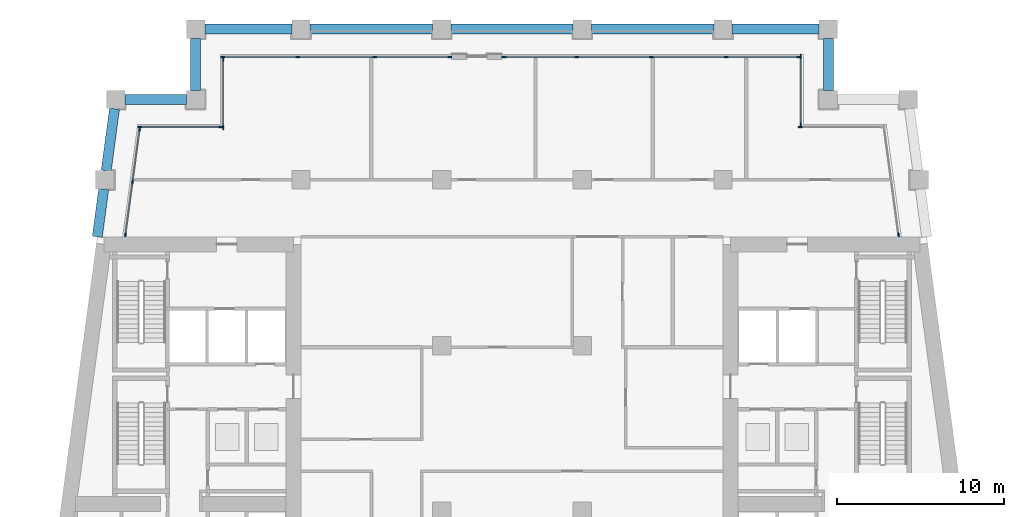
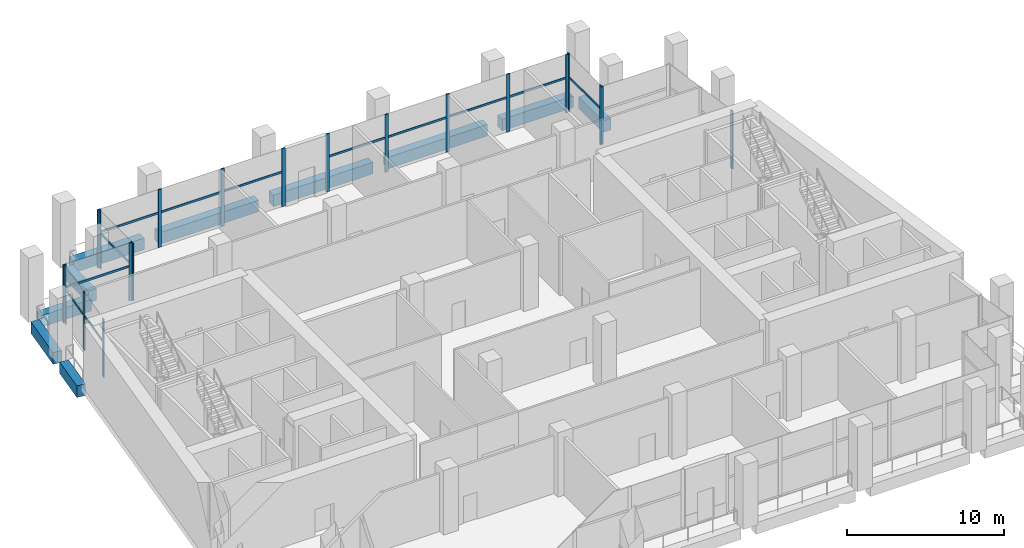
# One storey, part 4 of 16: 32 members, 10 beams, 8 elements without a shape of their own.
"""IFC4 building model written with IfcOpenShell, lengths in metres."""

from ifc_helpers import new_model, si_unit, direction, frame, origin, origin_2d, place, context, subcontext, project, spatial, rectangle, extrude, material, material_profile, profile_set, type_object, element, aggregate, save


model = new_model("IFC4")

# Units and contexts
model_context = context("Model", 3, precision=1e-05, world=origin(), true_north=direction((0.0, 1.0)))
body_context = subcontext(model_context, "Body", "Model", "MODEL_VIEW")
ifc_project = project(units=[si_unit("LENGTHUNIT", "METRE"), si_unit("AREAUNIT", "SQUARE_METRE"), si_unit("VOLUMEUNIT", "CUBIC_METRE"), si_unit("PLANEANGLEUNIT", "RADIAN"), si_unit("MASSUNIT", "GRAM", prefix="KILO")], contexts=[model_context])

# Site, building, storey
site_placement = place(None, origin())
site = spatial("IfcSite", under=ifc_project, at=site_placement, CompositionType="ELEMENT")
building_placement = place(site_placement, origin())
building = spatial("IfcBuilding", under=site, at=building_placement, Name="Candeia Pilgrim Tower and Theatre", CompositionType="ELEMENT")
storey_placement = place(building_placement, frame((0.0, 0.0, 192.199951171875)))
storey = spatial("IfcBuildingStorey", under=building, at=storey_placement, Name="L46", CompositionType="ELEMENT", Elevation=192.199951171875)

# Curtain wall, member
ifc_material_1 = material(Name="Aluminium framed sky lobby glazing", Category="aluminium")
curtain_wall_type = type_object("IfcCurtainWallType", Name="CW-S curtain wall", PredefinedType="NOTDEFINED", material=ifc_material_1)
curtain_wall_1_placement = place(storey_placement, origin())
curtain_wall_1 = element("IfcCurtainWall", 1, at=curtain_wall_1_placement, inside=storey, type_object=curtain_wall_type, Name="Curtain wall CW-S L46.310", PredefinedType="NOTDEFINED")
ifc_material_2 = material(Name="Anodised aluminium", Category="aluminium")
ifc_material_profile_1 = material_profile(ifc_material_2, rectangle(XDim=0.080078125, YDim=0.25, at=origin_2d()))
ifc_profile_set_1 = profile_set([ifc_material_profile_1], Name="Anodised aluminium")
member_type_1 = type_object("IfcMemberType", Name="CW-S mullion 80x250", PredefinedType="MULLION", material=ifc_profile_set_1)
member_1_placement = place(storey_placement, frame((136.48779296875, 132.52392578125, 0.0), z_axis=(0.0, 0.0, 1.0), x_axis=(-0.991060661622, -0.133412012145, 0.0)))
member_1 = element("IfcMember", 2, at=member_1_placement, type_object=member_type_1, Name="CW-S mullion 1", PredefinedType="MULLION", context=body_context, shape_type="SweptSolid", body=[
    extrude(rectangle(XDim=0.080078125, YDim=0.25, at=origin_2d()), origin(), (0.0, 0.0, 1.0), 4.5),
])
aggregate(curtain_wall_1, [member_1])

curtain_wall_2_placement = place(storey_placement, origin())
curtain_wall_2 = element("IfcCurtainWall", 3, at=curtain_wall_2_placement, inside=storey, type_object=curtain_wall_type, Name="Curtain wall CW-S L46.400", PredefinedType="NOTDEFINED")
member_2_placement = place(storey_placement, frame((130.625, 138.949951171875, 0.0), z_axis=(0.0, 0.0, 1.0), x_axis=(0.0, -1.0, 0.0)))
member_2 = element("IfcMember", 4, at=member_2_placement, type_object=member_type_1, Name="CW-S mullion 2", PredefinedType="MULLION", context=body_context, shape_type="SweptSolid", body=[
    extrude(rectangle(XDim=0.080078125, YDim=0.25, at=origin_2d()), origin(), (0.0, 0.0, 1.0), 4.5),
])
aggregate(curtain_wall_2, [member_2])

# Curtain wall, members
curtain_wall_3_placement = place(storey_placement, origin())
curtain_wall_3 = element("IfcCurtainWall", 5, at=curtain_wall_3_placement, inside=storey, type_object=curtain_wall_type, Name="Curtain wall CW-S L46.500", PredefinedType="NOTDEFINED")
member_3_placement = place(storey_placement, frame((130.64990234375, 139.074951171875, 0.0), z_axis=(0.0, 0.0, 1.0), x_axis=(-1.0, 0.0, 0.0)))
member_3 = element("IfcMember", 6, at=member_3_placement, type_object=member_type_1, Name="CW-S mullion 1", PredefinedType="MULLION", context=body_context, shape_type="SweptSolid", body=[
    extrude(rectangle(XDim=0.080078125, YDim=0.25, at=origin_2d()), origin(), (0.0, 0.0, 1.0), 4.5),
])
member_4_placement = place(storey_placement, frame((130.64990234375, 143.175048828125, 0.0), z_axis=(0.0, 0.0, 1.0), x_axis=(-1.0, 0.0, 0.0)))
member_4 = element("IfcMember", 7, at=member_4_placement, type_object=member_type_1, Name="CW-S mullion 2", PredefinedType="MULLION", context=body_context, shape_type="SweptSolid", body=[
    extrude(rectangle(XDim=0.080078125, YDim=0.25, at=origin_2d()), origin(), (0.0, 0.0, 1.0), 4.5),
])

curtain_wall_4_placement = place(storey_placement, origin())
curtain_wall_4 = element("IfcCurtainWall", 8, at=curtain_wall_4_placement, inside=storey, type_object=curtain_wall_type, Name="Curtain wall CW-S L46.600", PredefinedType="NOTDEFINED")
member_5_placement = place(storey_placement, frame((130.52490234375, 143.14990234375, 0.0), z_axis=(0.0, 0.0, 1.0), x_axis=(0.0, -1.0, 0.0)))
member_5 = element("IfcMember", 9, at=member_5_placement, type_object=member_type_1, Name="CW-S mullion 1", PredefinedType="MULLION", context=body_context, shape_type="SweptSolid", body=[
    extrude(rectangle(XDim=0.080078125, YDim=0.25, at=origin_2d()), origin(), (0.0, 0.0, 1.0), 4.5),
])
member_6_placement = place(storey_placement, frame((126.1875, 143.14990234375, 0.0), z_axis=(0.0, 0.0, 1.0), x_axis=(0.0, -1.0, 0.0)))
member_6 = element("IfcMember", 10, at=member_6_placement, type_object=member_type_1, Name="CW-S mullion 2", PredefinedType="MULLION", context=body_context, shape_type="SweptSolid", body=[
    extrude(rectangle(XDim=0.080078125, YDim=0.25, at=origin_2d()), origin(), (0.0, 0.0, 1.0), 4.5),
])
member_7_placement = place(storey_placement, frame((121.72509765625, 143.14990234375, 0.0), z_axis=(0.0, 0.0, 1.0), x_axis=(0.0, -1.0, 0.0)))
member_7 = element("IfcMember", 11, at=member_7_placement, type_object=member_type_1, Name="CW-S mullion 3", PredefinedType="MULLION", context=body_context, shape_type="SweptSolid", body=[
    extrude(rectangle(XDim=0.080078125, YDim=0.25, at=origin_2d()), origin(), (0.0, 0.0, 1.0), 4.5),
])
member_8_placement = place(storey_placement, frame((117.262451171875, 143.14990234375, 0.0), z_axis=(0.0, 0.0, 1.0), x_axis=(0.0, -1.0, 0.0)))
member_8 = element("IfcMember", 12, at=member_8_placement, type_object=member_type_1, Name="CW-S mullion 4", PredefinedType="MULLION", context=body_context, shape_type="SweptSolid", body=[
    extrude(rectangle(XDim=0.080078125, YDim=0.25, at=origin_2d()), origin(), (0.0, 0.0, 1.0), 4.5),
])
member_9_placement = place(storey_placement, frame((112.925048828125, 143.14990234375, 0.0), z_axis=(0.0, 0.0, 1.0), x_axis=(0.0, -1.0, 0.0)))
member_9 = element("IfcMember", 13, at=member_9_placement, type_object=member_type_1, Name="CW-S mullion 5", PredefinedType="MULLION", context=body_context, shape_type="SweptSolid", body=[
    extrude(rectangle(XDim=0.080078125, YDim=0.25, at=origin_2d()), origin(), (0.0, 0.0, 1.0), 4.5),
])

curtain_wall_5_placement = place(storey_placement, origin())
curtain_wall_5 = element("IfcCurtainWall", 14, at=curtain_wall_5_placement, inside=storey, type_object=curtain_wall_type, Name="Curtain wall CW-S L46.602", PredefinedType="NOTDEFINED")
member_10_placement = place(storey_placement, frame((109.675048828125, 143.14990234375, 0.0), z_axis=(0.0, 0.0, 1.0), x_axis=(0.0, -1.0, 0.0)))
member_10 = element("IfcMember", 15, at=member_10_placement, type_object=member_type_1, Name="CW-S mullion 1", PredefinedType="MULLION", context=body_context, shape_type="SweptSolid", body=[
    extrude(rectangle(XDim=0.080078125, YDim=0.25, at=origin_2d()), origin(), (0.0, 0.0, 1.0), 4.5),
])
member_11_placement = place(storey_placement, frame((105.199951171875, 143.14990234375, 0.0), z_axis=(0.0, 0.0, 1.0), x_axis=(0.0, -1.0, 0.0)))
member_11 = element("IfcMember", 16, at=member_11_placement, type_object=member_type_1, Name="CW-S mullion 2", PredefinedType="MULLION", context=body_context, shape_type="SweptSolid", body=[
    extrude(rectangle(XDim=0.080078125, YDim=0.25, at=origin_2d()), origin(), (0.0, 0.0, 1.0), 4.5),
])
member_12_placement = place(storey_placement, frame((100.60009765625, 143.14990234375, 0.0), z_axis=(0.0, 0.0, 1.0), x_axis=(0.0, -1.0, 0.0)))
member_12 = element("IfcMember", 17, at=member_12_placement, type_object=member_type_1, Name="CW-S mullion 3", PredefinedType="MULLION", context=body_context, shape_type="SweptSolid", body=[
    extrude(rectangle(XDim=0.080078125, YDim=0.25, at=origin_2d()), origin(), (0.0, 0.0, 1.0), 4.5),
])
member_13_placement = place(storey_placement, frame((96.125, 143.14990234375, 0.0), z_axis=(0.0, 0.0, 1.0), x_axis=(0.0, -1.0, 0.0)))
member_13 = element("IfcMember", 18, at=member_13_placement, type_object=member_type_1, Name="CW-S mullion 4", PredefinedType="MULLION", context=body_context, shape_type="SweptSolid", body=[
    extrude(rectangle(XDim=0.080078125, YDim=0.25, at=origin_2d()), origin(), (0.0, 0.0, 1.0), 4.5),
])

curtain_wall_6_placement = place(storey_placement, origin())
curtain_wall_6 = element("IfcCurtainWall", 19, at=curtain_wall_6_placement, inside=storey, type_object=curtain_wall_type, Name="Curtain wall CW-S L46.700", PredefinedType="NOTDEFINED")
member_14_placement = place(storey_placement, frame((96.14990234375, 143.02490234375, 0.0), z_axis=(0.0, 0.0, 1.0), x_axis=(1.0, 0.0, 0.0)))
member_14 = element("IfcMember", 20, at=member_14_placement, type_object=member_type_1, Name="CW-S mullion 1", PredefinedType="MULLION", context=body_context, shape_type="SweptSolid", body=[
    extrude(rectangle(XDim=0.080078125, YDim=0.25, at=origin_2d()), origin(), (0.0, 0.0, 1.0), 4.5),
])
member_15_placement = place(storey_placement, frame((96.14990234375, 138.925048828125, 0.0), z_axis=(0.0, 0.0, 1.0), x_axis=(1.0, 0.0, 0.0)))
member_15 = element("IfcMember", 21, at=member_15_placement, type_object=member_type_1, Name="CW-S mullion 2", PredefinedType="MULLION", context=body_context, shape_type="SweptSolid", body=[
    extrude(rectangle(XDim=0.080078125, YDim=0.25, at=origin_2d()), origin(), (0.0, 0.0, 1.0), 4.5),
])

curtain_wall_7_placement = place(storey_placement, origin())
curtain_wall_7 = element("IfcCurtainWall", 22, at=curtain_wall_7_placement, inside=storey, type_object=curtain_wall_type, Name="Curtain wall CW-S L46.800", PredefinedType="NOTDEFINED")
member_16_placement = place(storey_placement, frame((96.02490234375, 138.949951171875, 0.0), z_axis=(0.0, 0.0, 1.0), x_axis=(0.0, -1.0, 0.0)))
member_16 = element("IfcMember", 23, at=member_16_placement, type_object=member_type_1, Name="CW-S mullion 1", PredefinedType="MULLION", context=body_context, shape_type="SweptSolid", body=[
    extrude(rectangle(XDim=0.080078125, YDim=0.25, at=origin_2d()), origin(), (0.0, 0.0, 1.0), 4.5),
])
member_17_placement = place(storey_placement, frame((91.171142578125, 138.949951171875, 0.0), z_axis=(0.0, 0.0, 1.0), x_axis=(0.0, -1.0, 0.0)))
member_17 = element("IfcMember", 24, at=member_17_placement, type_object=member_type_1, Name="CW-S mullion 2", PredefinedType="MULLION", context=body_context, shape_type="SweptSolid", body=[
    extrude(rectangle(XDim=0.080078125, YDim=0.25, at=origin_2d()), origin(), (0.0, 0.0, 1.0), 4.5),
])

curtain_wall_8_placement = place(storey_placement, origin())
curtain_wall_8 = element("IfcCurtainWall", 25, at=curtain_wall_8_placement, inside=storey, type_object=curtain_wall_type, Name="Curtain wall CW-S L46.900", PredefinedType="NOTDEFINED")
member_18_placement = place(storey_placement, frame((91.16064453125, 138.826171875, 0.0), z_axis=(0.0, 0.0, 1.0), x_axis=(0.991060661622, -0.133412012145, 0.0)))
member_18 = element("IfcMember", 26, at=member_18_placement, type_object=member_type_1, Name="CW-S mullion 1", PredefinedType="MULLION", context=body_context, shape_type="SweptSolid", body=[
    extrude(rectangle(XDim=0.080078125, YDim=0.25, at=origin_2d()), origin(), (0.0, 0.0, 1.0), 4.5),
])
member_19_placement = place(storey_placement, frame((90.736572265625, 135.675048828125, 0.0), z_axis=(0.0, 0.0, 1.0), x_axis=(0.991060661622, -0.133412012145, 0.0)))
member_19 = element("IfcMember", 27, at=member_19_placement, type_object=member_type_1, Name="CW-S mullion 2", PredefinedType="MULLION", context=body_context, shape_type="SweptSolid", body=[
    extrude(rectangle(XDim=0.080078125, YDim=0.25, at=origin_2d()), origin(), (0.0, 0.0, 1.0), 4.5),
])
member_20_placement = place(storey_placement, frame((90.312255859375, 132.52392578125, 0.0), z_axis=(0.0, 0.0, 1.0), x_axis=(0.991060661622, -0.133412012145, 0.0)))
member_20 = element("IfcMember", 28, at=member_20_placement, type_object=member_type_1, Name="CW-S mullion 3", PredefinedType="MULLION", context=body_context, shape_type="SweptSolid", body=[
    extrude(rectangle(XDim=0.080078125, YDim=0.25, at=origin_2d()), origin(), (0.0, 0.0, 1.0), 4.5),
])

# Member
ifc_material_profile_2 = material_profile(ifc_material_2, rectangle(XDim=0.080078125, YDim=0.159912109375, at=origin_2d()))
ifc_profile_set_2 = profile_set([ifc_material_profile_2], Name="Anodised aluminium")
member_type_2 = type_object("IfcMemberType", Name="CW-S transom 80x160", PredefinedType="USERDEFINED", material=ifc_profile_set_2)
member_21_placement = place(storey_placement, frame((130.64990234375, 139.114990234375, 2.699951171875), z_axis=(0.0, 1.0, 0.0), x_axis=(-1.0, 0.0, 0.0)))
member_21 = element("IfcMember", 29, at=member_21_placement, type_object=member_type_2, Name="CW-S transom 1.1", ObjectType="TRANSOM", PredefinedType="USERDEFINED", context=body_context, shape_type="SweptSolid", body=[
    extrude(rectangle(XDim=0.080078125, YDim=0.159912109375, at=origin_2d()), origin(), (0.0, 0.0, 1.0), 4.02001953125),
])

aggregate(curtain_wall_3, [member_3, member_4, member_21])

member_22_placement = place(storey_placement, frame((130.485107421875, 143.14990234375, 2.699951171875), z_axis=(-1.0, 0.0, 0.0), x_axis=(0.0, -1.0, 0.0)))
member_22 = element("IfcMember", 30, at=member_22_placement, type_object=member_type_2, Name="CW-S transom 1.1", ObjectType="TRANSOM", PredefinedType="USERDEFINED", context=body_context, shape_type="SweptSolid", body=[
    extrude(rectangle(XDim=0.080078125, YDim=0.159912109375, at=origin_2d()), origin(), (0.0, 0.0, 1.0), 4.257568359375),
])

member_23_placement = place(storey_placement, frame((126.1474609375, 143.14990234375, 2.699951171875), z_axis=(-1.0, 0.0, 0.0), x_axis=(0.0, -1.0, 0.0)))
member_23 = element("IfcMember", 31, at=member_23_placement, type_object=member_type_2, Name="CW-S transom 2.1", ObjectType="TRANSOM", PredefinedType="USERDEFINED", context=body_context, shape_type="SweptSolid", body=[
    extrude(rectangle(XDim=0.080078125, YDim=0.159912109375, at=origin_2d()), origin(), (0.0, 0.0, 1.0), 4.382568359375),
])

member_24_placement = place(storey_placement, frame((121.68505859375, 143.14990234375, 2.699951171875), z_axis=(-1.0, 0.0, 0.0), x_axis=(0.0, -1.0, 0.0)))
member_24 = element("IfcMember", 32, at=member_24_placement, type_object=member_type_2, Name="CW-S transom 3.1", ObjectType="TRANSOM", PredefinedType="USERDEFINED", context=body_context, shape_type="SweptSolid", body=[
    extrude(rectangle(XDim=0.080078125, YDim=0.159912109375, at=origin_2d()), origin(), (0.0, 0.0, 1.0), 4.382568359375),
])

member_25_placement = place(storey_placement, frame((117.222412109375, 143.14990234375, 2.699951171875), z_axis=(-1.0, 0.0, 0.0), x_axis=(0.0, -1.0, 0.0)))
member_25 = element("IfcMember", 33, at=member_25_placement, type_object=member_type_2, Name="CW-S transom 4.1", ObjectType="TRANSOM", PredefinedType="USERDEFINED", context=body_context, shape_type="SweptSolid", body=[
    extrude(rectangle(XDim=0.080078125, YDim=0.159912109375, at=origin_2d()), origin(), (0.0, 0.0, 1.0), 4.25732421875),
])

aggregate(curtain_wall_4, [member_5, member_6, member_7, member_8, member_9, member_22, member_23, member_24, member_25])

member_26_placement = place(storey_placement, frame((109.635009765625, 143.14990234375, 2.699951171875), z_axis=(-1.0, 0.0, 0.0), x_axis=(0.0, -1.0, 0.0)))
member_26 = element("IfcMember", 34, at=member_26_placement, type_object=member_type_2, Name="CW-S transom 1.1", ObjectType="TRANSOM", PredefinedType="USERDEFINED", context=body_context, shape_type="SweptSolid", body=[
    extrude(rectangle(XDim=0.080078125, YDim=0.159912109375, at=origin_2d()), origin(), (0.0, 0.0, 1.0), 4.39501953125),
])

member_27_placement = place(storey_placement, frame((105.159912109375, 143.14990234375, 2.699951171875), z_axis=(-1.0, 0.0, 0.0), x_axis=(0.0, -1.0, 0.0)))
member_27 = element("IfcMember", 35, at=member_27_placement, type_object=member_type_2, Name="CW-S transom 2.1", ObjectType="TRANSOM", PredefinedType="USERDEFINED", context=body_context, shape_type="SweptSolid", body=[
    extrude(rectangle(XDim=0.080078125, YDim=0.159912109375, at=origin_2d()), origin(), (0.0, 0.0, 1.0), 4.52001953125),
])

member_28_placement = place(storey_placement, frame((100.56005859375, 143.14990234375, 2.699951171875), z_axis=(-1.0, 0.0, 0.0), x_axis=(0.0, -1.0, 0.0)))
member_28 = element("IfcMember", 36, at=member_28_placement, type_object=member_type_2, Name="CW-S transom 3.1", ObjectType="TRANSOM", PredefinedType="USERDEFINED", context=body_context, shape_type="SweptSolid", body=[
    extrude(rectangle(XDim=0.080078125, YDim=0.159912109375, at=origin_2d()), origin(), (0.0, 0.0, 1.0), 4.39501953125),
])

aggregate(curtain_wall_5, [member_10, member_11, member_12, member_13, member_26, member_27, member_28])

member_29_placement = place(storey_placement, frame((96.14990234375, 142.985107421875, 2.699951171875), z_axis=(0.0, -1.0, 0.0), x_axis=(1.0, 0.0, 0.0)))
member_29 = element("IfcMember", 37, at=member_29_placement, type_object=member_type_2, Name="CW-S transom 1.1", ObjectType="TRANSOM", PredefinedType="USERDEFINED", context=body_context, shape_type="SweptSolid", body=[
    extrude(rectangle(XDim=0.080078125, YDim=0.159912109375, at=origin_2d()), origin(), (0.0, 0.0, 1.0), 4.02001953125),
])

aggregate(curtain_wall_6, [member_14, member_15, member_29])

member_30_placement = place(storey_placement, frame((95.985107421875, 138.949951171875, 2.699951171875), z_axis=(-1.0, 0.0, 0.0), x_axis=(0.0, -1.0, 0.0)))
member_30 = element("IfcMember", 38, at=member_30_placement, type_object=member_type_2, Name="CW-S transom 1.1", ObjectType="TRANSOM", PredefinedType="USERDEFINED", context=body_context, shape_type="SweptSolid", body=[
    extrude(rectangle(XDim=0.080078125, YDim=0.159912109375, at=origin_2d()), origin(), (0.0, 0.0, 1.0), 4.77392578125),
])

aggregate(curtain_wall_7, [member_16, member_17, member_30])

member_31_placement = place(storey_placement, frame((91.1552734375, 138.786376953125, 2.699951171875), z_axis=(-0.133355474682, -0.991068270793, 0.0), x_axis=(0.991068270793, -0.133355474682, 0.0)))
member_31 = element("IfcMember", 39, at=member_31_placement, type_object=member_type_2, Name="CW-S transom 1.1", ObjectType="TRANSOM", PredefinedType="USERDEFINED", context=body_context, shape_type="SweptSolid", body=[
    extrude(rectangle(XDim=0.080078125, YDim=0.159912109375, at=origin_2d()), origin(), (0.0, 0.0, 1.0), 3.099365234375),
])

member_32_placement = place(storey_placement, frame((90.731201171875, 135.63525390625, 2.699951171875), z_axis=(-0.133432841403, -0.991057857461, 0.0), x_axis=(0.991057857461, -0.133432841403, 0.0)))
member_32 = element("IfcMember", 40, at=member_32_placement, type_object=member_type_2, Name="CW-S transom 2.1", ObjectType="TRANSOM", PredefinedType="USERDEFINED", context=body_context, shape_type="SweptSolid", body=[
    extrude(rectangle(XDim=0.080078125, YDim=0.159912109375, at=origin_2d()), origin(), (0.0, 0.0, 1.0), 3.099609375),
])

aggregate(curtain_wall_8, [member_18, member_19, member_20, member_31, member_32])

# Beams
ifc_material_3 = material(Name="Concrete C60/75", Category="concrete")
ifc_material_profile_3 = material_profile(ifc_material_3, rectangle(XDim=0.60009765625, YDim=0.89990234375, at=origin_2d()))
ifc_profile_set_3 = profile_set([ifc_material_profile_3], Name="Concrete C60/75")
beam_type = type_object("IfcBeamType", Name="RC 600x900 C60/75", PredefinedType="BEAM", material=ifc_profile_set_3)
beam_1_placement = place(storey_placement, frame((132.300048828125, 141.14990234375, -0.449951171875), z_axis=(0.0, 1.0, 0.0), x_axis=(-1.0, 0.0, 0.0)))
element("IfcBeam", 41, at=beam_1_placement, inside=storey, type_object=beam_type, Name="Spandrel beam L46-15", PredefinedType="BEAM", context=body_context, shape_type="SweptSolid", body=[
    extrude(rectangle(XDim=0.60009765625, YDim=0.89990234375, at=origin_2d()), origin(), (0.0, 0.0, 1.0), 3.10009765625),
])
beam_2_placement = place(storey_placement, frame((131.75, 144.800048828125, -0.449951171875), z_axis=(-1.0, 0.0, 0.0), x_axis=(0.0, -1.0, 0.0)))
element("IfcBeam", 42, at=beam_2_placement, inside=storey, type_object=beam_type, Name="Spandrel beam L46-16", PredefinedType="BEAM", context=body_context, shape_type="SweptSolid", body=[
    extrude(rectangle(XDim=0.60009765625, YDim=0.89990234375, at=origin_2d()), origin(), (0.0, 0.0, 1.0), 5.199951171875),
])
for number, where, z_axis, x_axis, name in (
    (43, (125.449951171875, 144.800048828125, -0.449951171875), (-1.0, 0.0, 0.0), (0.0, -1.0, 0.0), "Spandrel beam L46-17"),
    (44, (117.050048828125, 144.800048828125, -0.449951171875), (-1.0, 0.0, 0.0), (0.0, -1.0, 0.0), "Spandrel beam L46-18"),
):
    element("IfcBeam", number, at=place(storey_placement, frame(where, z_axis=z_axis, x_axis=x_axis)), inside=storey, type_object=beam_type, Name=name, PredefinedType="BEAM", context=body_context, shape_type="SweptSolid", body=[
        extrude(rectangle(XDim=0.60009765625, YDim=0.89990234375, at=origin_2d()), origin(), (0.0, 0.0, 1.0), 7.300048828125),
    ])
beam_3_placement = place(storey_placement, frame((108.64990234375, 144.800048828125, -0.449951171875), z_axis=(-1.0, 0.0, 0.0), x_axis=(0.0, -1.0, 0.0)))
element("IfcBeam", 45, at=beam_3_placement, inside=storey, type_object=beam_type, Name="Spandrel beam L46-19", PredefinedType="BEAM", context=body_context, shape_type="SweptSolid", body=[
    extrude(rectangle(XDim=0.60009765625, YDim=0.89990234375, at=origin_2d()), origin(), (0.0, 0.0, 1.0), 7.2998046875),
])
beam_4_placement = place(storey_placement, frame((100.25, 144.800048828125, -0.449951171875), z_axis=(-1.0, 0.0, 0.0), x_axis=(0.0, -1.0, 0.0)))
element("IfcBeam", 46, at=beam_4_placement, inside=storey, type_object=beam_type, Name="Spandrel beam L46-20", PredefinedType="BEAM", context=body_context, shape_type="SweptSolid", body=[
    extrude(rectangle(XDim=0.60009765625, YDim=0.89990234375, at=origin_2d()), origin(), (0.0, 0.0, 1.0), 5.199951171875),
])
beam_5_placement = place(storey_placement, frame((94.5, 144.25, -0.449951171875), z_axis=(0.0, -1.0, 0.0), x_axis=(1.0, 0.0, 0.0)))
element("IfcBeam", 47, at=beam_5_placement, inside=storey, type_object=beam_type, Name="Spandrel beam L46-21", PredefinedType="BEAM", context=body_context, shape_type="SweptSolid", body=[
    extrude(rectangle(XDim=0.60009765625, YDim=0.89990234375, at=origin_2d()), origin(), (0.0, 0.0, 1.0), 3.10009765625),
])
beam_6_placement = place(storey_placement, frame((93.949951171875, 140.60009765625, -0.449951171875), z_axis=(-1.0, 0.0, 0.0), x_axis=(0.0, -1.0, 0.0)))
element("IfcBeam", 48, at=beam_6_placement, inside=storey, type_object=beam_type, Name="Spandrel beam L46-22", PredefinedType="BEAM", context=body_context, shape_type="SweptSolid", body=[
    extrude(rectangle(XDim=0.60009765625, YDim=0.89990234375, at=origin_2d()), origin(), (0.0, 0.0, 1.0), 3.665283203125),
])
beam_7_placement = place(storey_placement, frame((89.66064453125, 140.050048828125, -0.449951171875), z_axis=(-0.133405836075, -0.991061492997, 0.0), x_axis=(0.991061492997, -0.133405836075, 0.0)))
element("IfcBeam", 49, at=beam_7_placement, inside=storey, type_object=beam_type, Name="Spandrel beam L46-23", PredefinedType="BEAM", context=body_context, shape_type="SweptSolid", body=[
    extrude(rectangle(XDim=0.60009765625, YDim=0.89990234375, at=origin_2d()), origin(), (0.0, 0.0, 1.0), 3.7333984375),
])
beam_8_placement = place(storey_placement, frame((89.014404296875, 135.25, -0.449951171875), z_axis=(-0.133370319951, -0.99106627314, 0.0), x_axis=(0.99106627314, -0.133370319951, 0.0)))
element("IfcBeam", 50, at=beam_8_placement, inside=storey, type_object=beam_type, Name="Spandrel beam L46-24", PredefinedType="BEAM", context=body_context, shape_type="SweptSolid", body=[
    extrude(rectangle(XDim=0.60009765625, YDim=0.89990234375, at=origin_2d()), origin(), (0.0, 0.0, 1.0), 2.875732421875),
])

save(model, "model.ifc")
